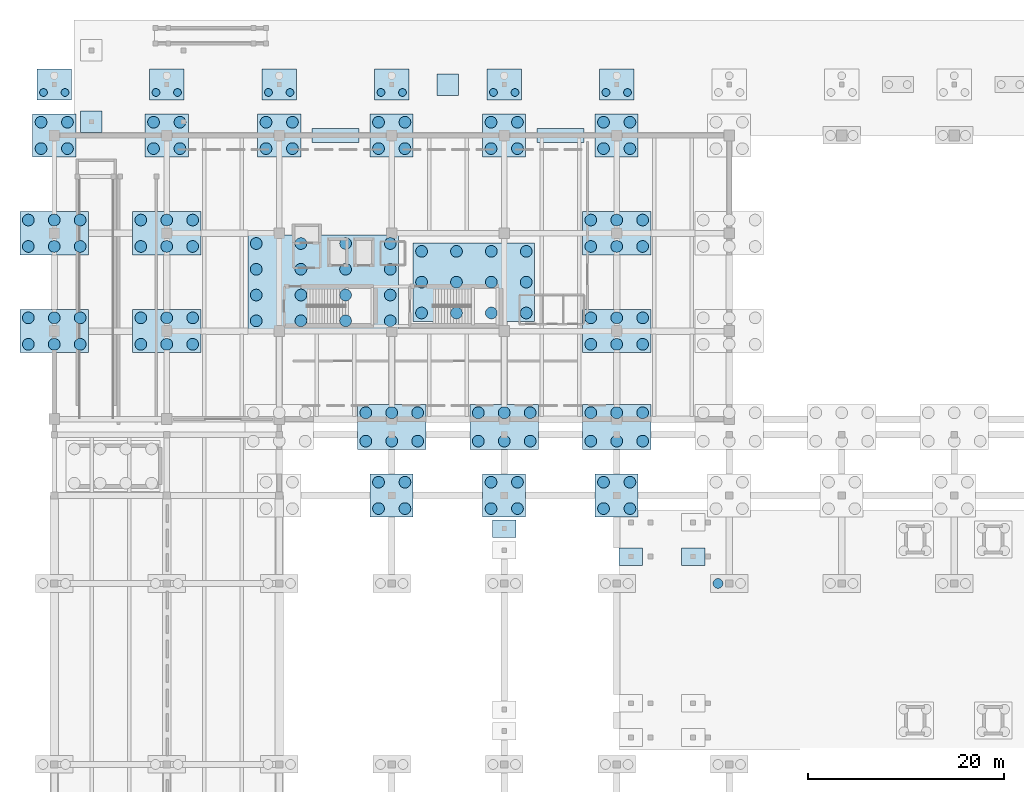
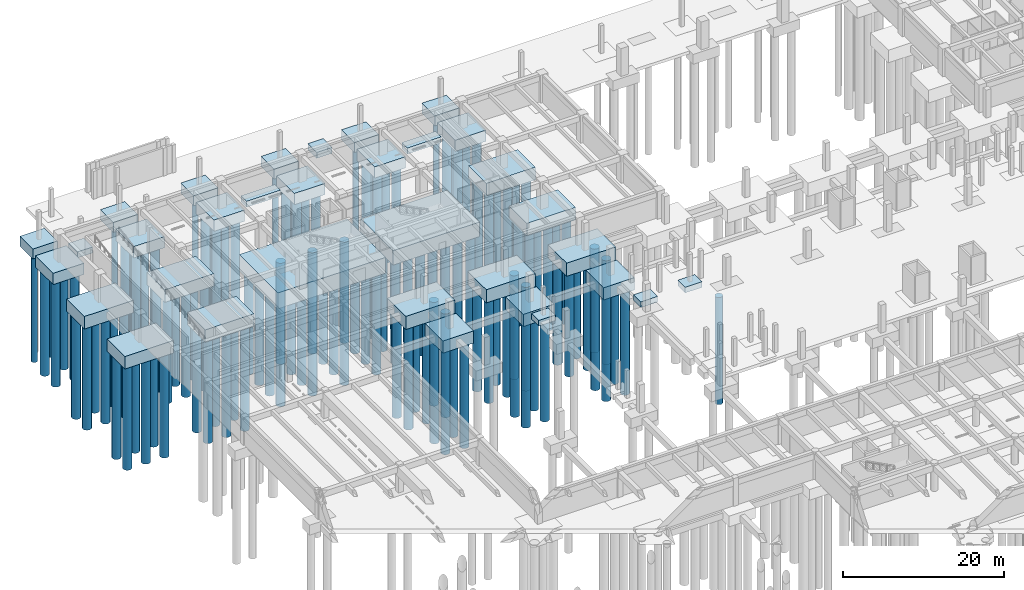
# One storey, part 3 of 28: 131 piles, 33 footings.
"""IFC4 building model written with IfcOpenShell, lengths in metres."""

import ifcopenshell
import ifcopenshell.guid

model = None  # the IFC model being written
_history = None  # IfcOwnerHistory: only IFC2X3 demands one
_inside = {}  # id of a spatial element -> (the spatial element, [elements in it])
_under = {}  # id of a project, library or spatial element -> (it, [spatial elements below it])
_declared = {}  # id of a project -> (the project, [libraries it declares])
_typed = {}  # id of a type object -> (the type object, [elements of that type])
_made_of = {}  # id of a material, layer set ... -> (it, [elements and type objects made of it])


def new_model(schema):
    """Start an empty IFC model of exactly this schema.

    Asked for "IFC4X3", IfcOpenShell would pick the latest addendum, in which some entities
    have other attributes; the version numbers below select the first issue.
    IFC2X3 requires an IfcOwnerHistory on every rooted entity: one is made here for all.
    """
    global model, _history
    if schema == "IFC4X3":
        model = ifcopenshell.file(schema_version=(4, 3, 0, 0))
    else:
        model = ifcopenshell.file(schema=schema)
    _inside.clear()
    _under.clear()
    _declared.clear()
    _typed.clear()
    _made_of.clear()
    _history = None
    if model.schema == "IFC2X3":
        org = make("IfcOrganization", Name="unknown")
        user = make(
            "IfcPersonAndOrganization",
            ThePerson=make("IfcPerson", FamilyName="unknown"),
            TheOrganization=org,
        )
        app = make(
            "IfcApplication",
            ApplicationDeveloper=org,
            Version="unknown",
            ApplicationFullName="unknown",
            ApplicationIdentifier="unknown",
        )
        _history = make(
            "IfcOwnerHistory",
            OwningUser=user,
            OwningApplication=app,
            ChangeAction="ADDED",
            CreationDate=0,
        )
    return model


def make(cls, **values):
    """One entity of the class cls with the attributes given. An attribute that is None is left unset."""
    return model.create_entity(
        cls, **{name: value for name, value in values.items() if value is not None}
    )


def rooted(cls, **values):
    """An entity with a GlobalId (a new one), such as an element, a storey or a relation."""
    return make(cls, GlobalId=ifcopenshell.guid.new(), OwnerHistory=_history, **values)


def si_unit(unit_type, name, prefix=None):
    """IfcSIUnit, for example si_unit("LENGTHUNIT", "METRE", prefix="MILLI")."""
    return make("IfcSIUnit", UnitType=unit_type, Prefix=prefix, Name=name)


def assignment(units):
    """IfcUnitAssignment: the units of a project."""
    return None if units is None else make("IfcUnitAssignment", Units=units)


def point(xyz):
    """IfcCartesianPoint."""
    return None if xyz is None else make("IfcCartesianPoint", Coordinates=xyz)


def direction(xyz):
    """IfcDirection."""
    return None if xyz is None else make("IfcDirection", DirectionRatios=xyz)


def frame(location, z_axis=None, x_axis=None):
    """IfcAxis2Placement3D, a coordinate frame: its origin and axes. An axis left out is left unset."""
    return make(
        "IfcAxis2Placement3D",
        Location=point(location),
        Axis=direction(z_axis),
        RefDirection=direction(x_axis),
    )


def frame_2d(location, x_axis=None):
    """IfcAxis2Placement2D, a coordinate frame in the plane: its origin and x axis."""
    return make(
        "IfcAxis2Placement2D", Location=point(location), RefDirection=direction(x_axis)
    )


def origin():
    """The frame at (0, 0, 0) with its axes left unset."""
    return frame((0.0, 0.0, 0.0))


def origin_2d():
    """The frame at (0, 0) in the plane with its x axis left unset."""
    return frame_2d((0.0, 0.0))


def place(relative_to, where):
    """IfcLocalPlacement: puts the frame where relative to a parent placement (None: the world)."""
    return make(
        "IfcLocalPlacement", PlacementRelTo=relative_to, RelativePlacement=where
    )


def context(
    kind, dimensions, precision=None, world=None, true_north=None, identifier=None
):
    """IfcGeometricRepresentationContext, for example the 3D "Model" context."""
    return make(
        "IfcGeometricRepresentationContext",
        ContextIdentifier=identifier,
        ContextType=kind,
        CoordinateSpaceDimension=dimensions,
        Precision=precision,
        WorldCoordinateSystem=world,
        TrueNorth=true_north,
    )


def subcontext(parent, identifier, kind, view, scale=None):
    """IfcGeometricRepresentationSubContext, for example "Body" below "Model"."""
    return make(
        "IfcGeometricRepresentationSubContext",
        ContextIdentifier=identifier,
        ContextType=kind,
        ParentContext=parent,
        TargetScale=scale,
        TargetView=view,
    )


def project(units=None, contexts=None):
    """IfcProject with its units and contexts."""
    return rooted(
        "IfcProject",
        Name="project",
        RepresentationContexts=contexts,
        UnitsInContext=assignment(units),
    )


def spatial(cls, under=None, at=None, **own):
    """A site, building, storey or space (cls), placed at a placement, below another one or the project."""
    s = rooted(cls, ObjectPlacement=at, **own)
    if under is not None:
        _under.setdefault(under.id(), (under, []))[1].append(s)
    return s


def profile(cls, at=None, kind="AREA", **sizes):
    """A parametric profile (cls). Its sizes go by their IFC names, for example OverallWidth=200.0."""
    return make(cls, ProfileType=kind, Position=at, **sizes)


def rectangle(**sizes):
    """IfcRectangleProfileDef."""
    return profile("IfcRectangleProfileDef", **sizes)


def circle(**sizes):
    """IfcCircleProfileDef."""
    return profile("IfcCircleProfileDef", **sizes)


def extrude(swept, where, along, depth):
    """IfcExtrudedAreaSolid: the profile swept, set in the frame where, extruded along a direction by depth."""
    return make(
        "IfcExtrudedAreaSolid",
        SweptArea=swept,
        Position=where,
        ExtrudedDirection=direction(along),
        Depth=depth,
    )


def shape(context_of_items, identifier, shape_type, items):
    """IfcShapeRepresentation: the items that make up one representation, for example the "Body"."""
    return make(
        "IfcShapeRepresentation",
        ContextOfItems=context_of_items,
        RepresentationIdentifier=identifier,
        RepresentationType=shape_type,
        Items=items,
    )


def material(Name=None, Category=None):
    """IfcMaterial."""
    return make("IfcMaterial", Name=Name, Category=Category)


def material_profile(
    of_material, cross_section, Name=None, Category=None, Priority=None
):
    """IfcMaterialProfile: a cross section and its material."""
    return make(
        "IfcMaterialProfile",
        Name=Name,
        Material=of_material,
        Profile=cross_section,
        Priority=Priority,
        Category=Category,
    )


def profile_set(profiles, Name=None, composite=None):
    """IfcMaterialProfileSet."""
    return make(
        "IfcMaterialProfileSet",
        Name=Name,
        MaterialProfiles=profiles,
        CompositeProfile=composite,
    )


def made_of(thing, what):
    """Note that an element or type object is made of a material, layer set ...; save() writes the relation."""
    if what is not None:
        _made_of.setdefault(what.id(), (what, []))[1].append(thing)
    return thing


def type_object(cls, material=None, **own):
    """A type object (cls), such as IfcWallType, which elements share."""
    return made_of(rooted(cls, **own), material)


def element(
    cls,
    number,
    at=None,
    inside=None,
    cuts=None,
    type_object=None,
    material=None,
    context=None,
    identifier="Body",
    shape_type=None,
    held_by="IfcProductDefinitionShape",
    body=None,
    shapes=None,
    **own,
):
    """One element of the class cls, such as IfcWall. Its Tag is "e" and its number.

    at: its placement. inside: the storey or other place that contains it. cuts: it is an
    opening in that element (IfcRelVoidsElement). A single representation is given by context,
    identifier, shape_type and body (its items); several are given by shapes. held_by: the class
    of the entity that holds the representations. save() writes the other relations.
    """
    e = rooted(cls, Tag="e%d" % number, ObjectPlacement=at, **own)
    if body is not None:
        shapes = [shape(context, identifier, shape_type, body)]
    if shapes is not None:
        e.Representation = make(held_by, Representations=shapes)
    if inside is not None:
        _inside.setdefault(inside.id(), (inside, []))[1].append(e)
    if cuts is not None:
        rooted(
            "IfcRelVoidsElement", RelatingBuildingElement=cuts, RelatedOpeningElement=e
        )
    if type_object is not None:
        _typed.setdefault(type_object.id(), (type_object, []))[1].append(e)
    return made_of(e, material)


def aggregate(whole, parts):
    """IfcRelAggregates: a whole, such as a stair, and the parts it consists of."""
    return rooted("IfcRelAggregates", RelatingObject=whole, RelatedObjects=parts)


def save(model, path):
    """Write the relations noted so far, then the file.

    IfcRelAggregates (storeys below a building ...), IfcRelContainedInSpatialStructure (elements
    in a storey), IfcRelDefinesByType, IfcRelAssociatesMaterial and IfcRelDeclares: one each for
    every whole, place, type object, material and project.
    """
    for whole, parts in _under.values():
        aggregate(whole, parts)
    for where, things in _inside.values():
        rooted(
            "IfcRelContainedInSpatialStructure",
            RelatedElements=things,
            RelatingStructure=where,
        )
    for kind, things in _typed.values():
        rooted("IfcRelDefinesByType", RelatedObjects=things, RelatingType=kind)
    for what, things in _made_of.values():
        rooted("IfcRelAssociatesMaterial", RelatedObjects=things, RelatingMaterial=what)
    for by, libraries in _declared.values():
        rooted("IfcRelDeclares", RelatingContext=by, RelatedDefinitions=libraries)
    model.write(path)


model = new_model("IFC4")

# Units and contexts
model_context = context("Model", 3, precision=1e-05, world=origin(), true_north=direction((0.0, 1.0)))
body_context = subcontext(model_context, "Body", "Model", "MODEL_VIEW")
ifc_project = project(units=[si_unit("LENGTHUNIT", "METRE"), si_unit("AREAUNIT", "SQUARE_METRE"), si_unit("VOLUMEUNIT", "CUBIC_METRE"), si_unit("PLANEANGLEUNIT", "RADIAN"), si_unit("MASSUNIT", "GRAM", prefix="KILO")], contexts=[model_context])

# Site, building, storey
site_placement = place(None, origin())
site = spatial("IfcSite", under=ifc_project, at=site_placement, CompositionType="ELEMENT")
building_placement = place(site_placement, origin())
building = spatial("IfcBuilding", under=site, at=building_placement, Name="Ologun Quay Terminus", CompositionType="ELEMENT")
storey_placement = place(building_placement, frame((0.0, 0.0, -8.39990234375)))
storey = spatial("IfcBuildingStorey", under=building, at=storey_placement, Name="B02", CompositionType="ELEMENT", Elevation=-8.39990234375)

# Piles
ifc_material_1 = material(Name="Concrete C35/45", Category="concrete")
ifc_material_profile_1 = material_profile(ifc_material_1, circle(Radius=0.5, at=origin_2d()), Name="PILE D1000")
ifc_profile_set_1 = profile_set([ifc_material_profile_1], Name="Concrete C35/45")
pile_type_1 = type_object("IfcPileType", Name="Bored Concrete Pile D1000", PredefinedType="BORED", material=ifc_profile_set_1)
pile_placement = place(storey_placement, frame((67.85009765625, 69.0, -1.400146484375), z_axis=(0.0, 0.0, -1.0), x_axis=(1.0, 0.0, 0.0)))
element("IfcPile", 1, at=pile_placement, inside=storey, type_object=pile_type_1, Name="P2 Pile FND-SUB-7-Y69-01", PredefinedType="BORED", context=body_context, shape_type="SweptSolid", body=[
    extrude(circle(Radius=0.5, at=origin_2d()), origin(), (0.0, 0.0, 1.0), 16.199951171875),
])
ifc_material_2 = material(Name="Concrete C35/45", Category="concrete")
ifc_material_profile_2 = material_profile(ifc_material_2, circle(Radius=0.60009765625, at=origin_2d()), Name="PILE D1200")
ifc_profile_set_2 = profile_set([ifc_material_profile_2], Name="Concrete C35/45")
pile_type_2 = type_object("IfcPileType", Name="Bored Concrete Pile D1200", PredefinedType="BORED", material=ifc_profile_set_2)
for number, where, z_axis, x_axis, name in (
    (2, (20.64990234375, 95.85009765625, -2.300048828125), (0.0, 0.0, -1.0), (1.0, 0.0, 0.0), "P1 Pile FND-CORE-W1-01"),
    (3, (25.216796875, 95.85009765625, -2.300048828125), (0.0, 0.0, -1.0), (1.0, 0.0, 0.0), "P1 Pile FND-CORE-W1-02"),
    (4, (29.783203125, 95.85009765625, -2.300048828125), (0.0, 0.0, -1.0), (1.0, 0.0, 0.0), "P1 Pile FND-CORE-W1-03"),
    (5, (34.35009765625, 95.85009765625, -2.300048828125), (0.0, 0.0, -1.0), (1.0, 0.0, 0.0), "P1 Pile FND-CORE-W1-04"),
    (6, (20.64990234375, 98.4833984375, -2.300048828125), (0.0, 0.0, -1.0), (1.0, 0.0, 0.0), "P1 Pile FND-CORE-W1-05"),
    (7, (25.216796875, 98.4833984375, -2.300048828125), (0.0, 0.0, -1.0), (1.0, 0.0, 0.0), "P1 Pile FND-CORE-W1-06"),
    (8, (29.783203125, 98.4833984375, -2.300048828125), (0.0, 0.0, -1.0), (1.0, 0.0, 0.0), "P1 Pile FND-CORE-W1-07"),
    (9, (34.35009765625, 98.4833984375, -2.300048828125), (0.0, 0.0, -1.0), (1.0, 0.0, 0.0), "P1 Pile FND-CORE-W1-08"),
    (10, (20.64990234375, 101.11669921875, -2.300048828125), (0.0, 0.0, -1.0), (1.0, 0.0, 0.0), "P1 Pile FND-CORE-W1-09"),
    (11, (25.216796875, 101.11669921875, -2.300048828125), (0.0, 0.0, -1.0), (1.0, 0.0, 0.0), "P1 Pile FND-CORE-W1-10"),
    (12, (29.783203125, 101.11669921875, -2.300048828125), (0.0, 0.0, -1.0), (1.0, 0.0, 0.0), "P1 Pile FND-CORE-W1-11"),
    (13, (34.35009765625, 101.11669921875, -2.300048828125), (0.0, 0.0, -1.0), (1.0, 0.0, 0.0), "P1 Pile FND-CORE-W1-12"),
    (14, (20.64990234375, 103.75, -2.300048828125), (0.0, 0.0, -1.0), (1.0, 0.0, 0.0), "P1 Pile FND-CORE-W1-13"),
    (15, (25.216796875, 103.75, -2.300048828125), (0.0, 0.0, -1.0), (1.0, 0.0, 0.0), "P1 Pile FND-CORE-W1-14"),
    (16, (29.783203125, 103.75, -2.300048828125), (0.0, 0.0, -1.0), (1.0, 0.0, 0.0), "P1 Pile FND-CORE-W1-15"),
    (17, (34.35009765625, 103.75, -2.300048828125), (0.0, 0.0, -1.0), (1.0, 0.0, 0.0), "P1 Pile FND-CORE-W1-16"),
):
    element("IfcPile", number, at=place(storey_placement, frame(where, z_axis=z_axis, x_axis=x_axis)), inside=storey, type_object=pile_type_2, Name=name, PredefinedType="BORED", context=body_context, shape_type="SweptSolid", body=[
        extrude(circle(Radius=0.60009765625, at=origin_2d()), origin(), (0.0, 0.0, 1.0), 15.300048828125),
    ])
for number, where, z_axis, x_axis, name in (
    (18, (37.550048828125, 96.64990234375, -2.10009765625), (0.0, 0.0, -1.0), (1.0, 0.0, 0.0), "P1 Pile FND-CORE-W2-01"),
    (19, (41.11669921875, 96.64990234375, -2.10009765625), (0.0, 0.0, -1.0), (1.0, 0.0, 0.0), "P1 Pile FND-CORE-W2-02"),
    (20, (44.683349609375, 96.64990234375, -2.10009765625), (0.0, 0.0, -1.0), (1.0, 0.0, 0.0), "P1 Pile FND-CORE-W2-03"),
    (21, (48.25, 96.64990234375, -2.10009765625), (0.0, 0.0, -1.0), (1.0, 0.0, 0.0), "P1 Pile FND-CORE-W2-04"),
    (22, (37.550048828125, 99.800048828125, -2.10009765625), (0.0, 0.0, -1.0), (1.0, 0.0, 0.0), "P1 Pile FND-CORE-W2-05"),
    (23, (41.11669921875, 99.800048828125, -2.10009765625), (0.0, 0.0, -1.0), (1.0, 0.0, 0.0), "P1 Pile FND-CORE-W2-06"),
    (24, (44.683349609375, 99.800048828125, -2.10009765625), (0.0, 0.0, -1.0), (1.0, 0.0, 0.0), "P1 Pile FND-CORE-W2-07"),
    (25, (48.25, 99.800048828125, -2.10009765625), (0.0, 0.0, -1.0), (1.0, 0.0, 0.0), "P1 Pile FND-CORE-W2-08"),
    (26, (37.550048828125, 102.949951171875, -2.10009765625), (0.0, 0.0, -1.0), (1.0, 0.0, 0.0), "P1 Pile FND-CORE-W2-09"),
    (27, (41.11669921875, 102.949951171875, -2.10009765625), (0.0, 0.0, -1.0), (1.0, 0.0, 0.0), "P1 Pile FND-CORE-W2-10"),
    (28, (44.683349609375, 102.949951171875, -2.10009765625), (0.0, 0.0, -1.0), (1.0, 0.0, 0.0), "P1 Pile FND-CORE-W2-11"),
    (29, (48.25, 102.949951171875, -2.10009765625), (0.0, 0.0, -1.0), (1.0, 0.0, 0.0), "P1 Pile FND-CORE-W2-12"),
):
    element("IfcPile", number, at=place(storey_placement, frame(where, z_axis=z_axis, x_axis=x_axis)), inside=storey, type_object=pile_type_2, Name=name, PredefinedType="BORED", context=body_context, shape_type="SweptSolid", body=[
        extrude(circle(Radius=0.60009765625, at=origin_2d()), origin(), (0.0, 0.0, 1.0), 15.5),
    ])
for number, where, z_axis, x_axis, name in (
    (30, (-2.64990234375, 93.449951171875, -1.800048828125), (0.0, 0.0, -1.0), (1.0, 0.0, 0.0), "P1 Pile FND-1-H-01"),
    (31, (0.0, 93.449951171875, -1.800048828125), (0.0, 0.0, -1.0), (1.0, 0.0, 0.0), "P1 Pile FND-1-H-02"),
    (32, (2.64990234375, 93.449951171875, -1.800048828125), (0.0, 0.0, -1.0), (1.0, 0.0, 0.0), "P1 Pile FND-1-H-03"),
    (33, (-2.64990234375, 96.14990234375, -1.800048828125), (0.0, 0.0, -1.0), (1.0, 0.0, 0.0), "P1 Pile FND-1-H-04"),
    (34, (0.0, 96.14990234375, -1.800048828125), (0.0, 0.0, -1.0), (1.0, 0.0, 0.0), "P1 Pile FND-1-H-05"),
    (35, (2.64990234375, 96.14990234375, -1.800048828125), (0.0, 0.0, -1.0), (1.0, 0.0, 0.0), "P1 Pile FND-1-H-06"),
    (36, (-2.64990234375, 103.449951171875, -1.800048828125), (0.0, 0.0, -1.0), (1.0, 0.0, 0.0), "P1 Pile FND-1-J-01"),
    (37, (0.0, 103.449951171875, -1.800048828125), (0.0, 0.0, -1.0), (1.0, 0.0, 0.0), "P1 Pile FND-1-J-02"),
    (38, (2.64990234375, 103.449951171875, -1.800048828125), (0.0, 0.0, -1.0), (1.0, 0.0, 0.0), "P1 Pile FND-1-J-03"),
    (39, (-2.64990234375, 106.14990234375, -1.800048828125), (0.0, 0.0, -1.0), (1.0, 0.0, 0.0), "P1 Pile FND-1-J-04"),
    (40, (0.0, 106.14990234375, -1.800048828125), (0.0, 0.0, -1.0), (1.0, 0.0, 0.0), "P1 Pile FND-1-J-05"),
    (41, (2.64990234375, 106.14990234375, -1.800048828125), (0.0, 0.0, -1.0), (1.0, 0.0, 0.0), "P1 Pile FND-1-J-06"),
):
    element("IfcPile", number, at=place(storey_placement, frame(where, z_axis=z_axis, x_axis=x_axis)), inside=storey, type_object=pile_type_2, Name=name, PredefinedType="BORED", context=body_context, shape_type="SweptSolid", body=[
        extrude(circle(Radius=0.60009765625, at=origin_2d()), origin(), (0.0, 0.0, 1.0), 15.800048828125),
    ])
for number, where, z_axis, x_axis, name in (
    (42, (-1.35009765625, 113.449951171875, -1.60009765625), (0.0, 0.0, -1.0), (1.0, 0.0, 0.0), "P1 Pile FND-1-K-01"),
    (43, (1.35009765625, 113.449951171875, -1.60009765625), (0.0, 0.0, -1.0), (1.0, 0.0, 0.0), "P1 Pile FND-1-K-02"),
    (44, (-1.35009765625, 116.14990234375, -1.60009765625), (0.0, 0.0, -1.0), (1.0, 0.0, 0.0), "P1 Pile FND-1-K-03"),
    (45, (1.35009765625, 116.14990234375, -1.60009765625), (0.0, 0.0, -1.0), (1.0, 0.0, 0.0), "P1 Pile FND-1-K-04"),
):
    element("IfcPile", number, at=place(storey_placement, frame(where, z_axis=z_axis, x_axis=x_axis)), inside=storey, type_object=pile_type_2, Name=name, PredefinedType="BORED", context=body_context, shape_type="SweptSolid", body=[
        extrude(circle(Radius=0.60009765625, at=origin_2d()), origin(), (0.0, 0.0, 1.0), 16.0),
    ])
for number, where, z_axis, x_axis, name in (
    (46, (8.85009765625, 93.449951171875, -1.800048828125), (0.0, 0.0, -1.0), (1.0, 0.0, 0.0), "P1 Pile FND-2-H-01"),
    (47, (11.5, 93.449951171875, -1.800048828125), (0.0, 0.0, -1.0), (1.0, 0.0, 0.0), "P1 Pile FND-2-H-02"),
    (48, (14.14990234375, 93.449951171875, -1.800048828125), (0.0, 0.0, -1.0), (1.0, 0.0, 0.0), "P1 Pile FND-2-H-03"),
    (49, (8.85009765625, 96.14990234375, -1.800048828125), (0.0, 0.0, -1.0), (1.0, 0.0, 0.0), "P1 Pile FND-2-H-04"),
    (50, (11.5, 96.14990234375, -1.800048828125), (0.0, 0.0, -1.0), (1.0, 0.0, 0.0), "P1 Pile FND-2-H-05"),
    (51, (14.14990234375, 96.14990234375, -1.800048828125), (0.0, 0.0, -1.0), (1.0, 0.0, 0.0), "P1 Pile FND-2-H-06"),
    (52, (8.85009765625, 103.449951171875, -1.800048828125), (0.0, 0.0, -1.0), (1.0, 0.0, 0.0), "P1 Pile FND-2-J-01"),
    (53, (11.5, 103.449951171875, -1.800048828125), (0.0, 0.0, -1.0), (1.0, 0.0, 0.0), "P1 Pile FND-2-J-02"),
    (54, (14.14990234375, 103.449951171875, -1.800048828125), (0.0, 0.0, -1.0), (1.0, 0.0, 0.0), "P1 Pile FND-2-J-03"),
    (55, (8.85009765625, 106.14990234375, -1.800048828125), (0.0, 0.0, -1.0), (1.0, 0.0, 0.0), "P1 Pile FND-2-J-04"),
    (56, (11.5, 106.14990234375, -1.800048828125), (0.0, 0.0, -1.0), (1.0, 0.0, 0.0), "P1 Pile FND-2-J-05"),
    (57, (14.14990234375, 106.14990234375, -1.800048828125), (0.0, 0.0, -1.0), (1.0, 0.0, 0.0), "P1 Pile FND-2-J-06"),
):
    element("IfcPile", number, at=place(storey_placement, frame(where, z_axis=z_axis, x_axis=x_axis)), inside=storey, type_object=pile_type_2, Name=name, PredefinedType="BORED", context=body_context, shape_type="SweptSolid", body=[
        extrude(circle(Radius=0.60009765625, at=origin_2d()), origin(), (0.0, 0.0, 1.0), 15.800048828125),
    ])
for number, where, z_axis, x_axis, name in (
    (58, (10.14990234375, 113.449951171875, -1.60009765625), (0.0, 0.0, -1.0), (1.0, 0.0, 0.0), "P1 Pile FND-2-K-01"),
    (59, (12.85009765625, 113.449951171875, -1.60009765625), (0.0, 0.0, -1.0), (1.0, 0.0, 0.0), "P1 Pile FND-2-K-02"),
    (60, (10.14990234375, 116.14990234375, -1.60009765625), (0.0, 0.0, -1.0), (1.0, 0.0, 0.0), "P1 Pile FND-2-K-03"),
    (61, (12.85009765625, 116.14990234375, -1.60009765625), (0.0, 0.0, -1.0), (1.0, 0.0, 0.0), "P1 Pile FND-2-K-04"),
    (62, (21.64990234375, 113.449951171875, -1.60009765625), (0.0, 0.0, -1.0), (1.0, 0.0, 0.0), "P1 Pile FND-3-K-01"),
    (63, (24.35009765625, 113.449951171875, -1.60009765625), (0.0, 0.0, -1.0), (1.0, 0.0, 0.0), "P1 Pile FND-3-K-02"),
    (64, (21.64990234375, 116.14990234375, -1.60009765625), (0.0, 0.0, -1.0), (1.0, 0.0, 0.0), "P1 Pile FND-3-K-03"),
    (65, (24.35009765625, 116.14990234375, -1.60009765625), (0.0, 0.0, -1.0), (1.0, 0.0, 0.0), "P1 Pile FND-3-K-04"),
):
    element("IfcPile", number, at=place(storey_placement, frame(where, z_axis=z_axis, x_axis=x_axis)), inside=storey, type_object=pile_type_2, Name=name, PredefinedType="BORED", context=body_context, shape_type="SweptSolid", body=[
        extrude(circle(Radius=0.60009765625, at=origin_2d()), origin(), (0.0, 0.0, 1.0), 16.0),
    ])
for number, where, z_axis, x_axis, name in (
    (66, (31.85009765625, 83.550048828125, -1.900146484375), (0.0, 0.0, -1.0), (1.0, 0.0, 0.0), "P1 Pile FND-MJ-4-01"),
    (67, (34.5, 83.550048828125, -1.900146484375), (0.0, 0.0, -1.0), (1.0, 0.0, 0.0), "P1 Pile FND-MJ-4-02"),
    (68, (37.14990234375, 83.550048828125, -1.900146484375), (0.0, 0.0, -1.0), (1.0, 0.0, 0.0), "P1 Pile FND-MJ-4-03"),
    (69, (31.85009765625, 86.449951171875, -1.900146484375), (0.0, 0.0, -1.0), (1.0, 0.0, 0.0), "P1 Pile FND-MJ-4-04"),
    (70, (34.5, 86.449951171875, -1.900146484375), (0.0, 0.0, -1.0), (1.0, 0.0, 0.0), "P1 Pile FND-MJ-4-05"),
    (71, (37.14990234375, 86.449951171875, -1.900146484375), (0.0, 0.0, -1.0), (1.0, 0.0, 0.0), "P1 Pile FND-MJ-4-06"),
):
    element("IfcPile", number, at=place(storey_placement, frame(where, z_axis=z_axis, x_axis=x_axis)), inside=storey, type_object=pile_type_2, Name=name, PredefinedType="BORED", context=body_context, shape_type="SweptSolid", body=[
        extrude(circle(Radius=0.60009765625, at=origin_2d()), origin(), (0.0, 0.0, 1.0), 15.699951171875),
    ])
for number, where, z_axis, x_axis, name in (
    (72, (33.14990234375, 76.64990234375, -1.75), (0.0, 0.0, -1.0), (1.0, 0.0, 0.0), "P1 Pile FND-4-F-01"),
    (73, (35.85009765625, 76.64990234375, -1.75), (0.0, 0.0, -1.0), (1.0, 0.0, 0.0), "P1 Pile FND-4-F-02"),
    (74, (33.14990234375, 79.35009765625, -1.75), (0.0, 0.0, -1.0), (1.0, 0.0, 0.0), "P1 Pile FND-4-F-03"),
    (75, (35.85009765625, 79.35009765625, -1.75), (0.0, 0.0, -1.0), (1.0, 0.0, 0.0), "P1 Pile FND-4-F-04"),
):
    element("IfcPile", number, at=place(storey_placement, frame(where, z_axis=z_axis, x_axis=x_axis)), inside=storey, type_object=pile_type_2, Name=name, PredefinedType="BORED", context=body_context, shape_type="SweptSolid", body=[
        extrude(circle(Radius=0.60009765625, at=origin_2d()), origin(), (0.0, 0.0, 1.0), 15.85009765625),
    ])
for number, where, z_axis, x_axis, name in (
    (76, (33.14990234375, 113.449951171875, -1.60009765625), (0.0, 0.0, -1.0), (1.0, 0.0, 0.0), "P1 Pile FND-4-K-01"),
    (77, (35.85009765625, 113.449951171875, -1.60009765625), (0.0, 0.0, -1.0), (1.0, 0.0, 0.0), "P1 Pile FND-4-K-02"),
    (78, (33.14990234375, 116.14990234375, -1.60009765625), (0.0, 0.0, -1.0), (1.0, 0.0, 0.0), "P1 Pile FND-4-K-03"),
    (79, (35.85009765625, 116.14990234375, -1.60009765625), (0.0, 0.0, -1.0), (1.0, 0.0, 0.0), "P1 Pile FND-4-K-04"),
):
    element("IfcPile", number, at=place(storey_placement, frame(where, z_axis=z_axis, x_axis=x_axis)), inside=storey, type_object=pile_type_2, Name=name, PredefinedType="BORED", context=body_context, shape_type="SweptSolid", body=[
        extrude(circle(Radius=0.60009765625, at=origin_2d()), origin(), (0.0, 0.0, 1.0), 16.0),
    ])
for number, where, z_axis, x_axis, name in (
    (80, (43.35009765625, 83.550048828125, -1.900146484375), (0.0, 0.0, -1.0), (1.0, 0.0, 0.0), "P1 Pile FND-MJ-5-01"),
    (81, (46.0, 83.550048828125, -1.900146484375), (0.0, 0.0, -1.0), (1.0, 0.0, 0.0), "P1 Pile FND-MJ-5-02"),
    (82, (48.64990234375, 83.550048828125, -1.900146484375), (0.0, 0.0, -1.0), (1.0, 0.0, 0.0), "P1 Pile FND-MJ-5-03"),
    (83, (43.35009765625, 86.449951171875, -1.900146484375), (0.0, 0.0, -1.0), (1.0, 0.0, 0.0), "P1 Pile FND-MJ-5-04"),
    (84, (46.0, 86.449951171875, -1.900146484375), (0.0, 0.0, -1.0), (1.0, 0.0, 0.0), "P1 Pile FND-MJ-5-05"),
    (85, (48.64990234375, 86.449951171875, -1.900146484375), (0.0, 0.0, -1.0), (1.0, 0.0, 0.0), "P1 Pile FND-MJ-5-06"),
):
    element("IfcPile", number, at=place(storey_placement, frame(where, z_axis=z_axis, x_axis=x_axis)), inside=storey, type_object=pile_type_2, Name=name, PredefinedType="BORED", context=body_context, shape_type="SweptSolid", body=[
        extrude(circle(Radius=0.60009765625, at=origin_2d()), origin(), (0.0, 0.0, 1.0), 15.699951171875),
    ])
for number, where, z_axis, x_axis, name in (
    (86, (44.64990234375, 76.64990234375, -1.75), (0.0, 0.0, -1.0), (1.0, 0.0, 0.0), "P1 Pile FND-5-F-01"),
    (87, (47.35009765625, 76.64990234375, -1.75), (0.0, 0.0, -1.0), (1.0, 0.0, 0.0), "P1 Pile FND-5-F-02"),
    (88, (44.64990234375, 79.35009765625, -1.75), (0.0, 0.0, -1.0), (1.0, 0.0, 0.0), "P1 Pile FND-5-F-03"),
    (89, (47.35009765625, 79.35009765625, -1.75), (0.0, 0.0, -1.0), (1.0, 0.0, 0.0), "P1 Pile FND-5-F-04"),
):
    element("IfcPile", number, at=place(storey_placement, frame(where, z_axis=z_axis, x_axis=x_axis)), inside=storey, type_object=pile_type_2, Name=name, PredefinedType="BORED", context=body_context, shape_type="SweptSolid", body=[
        extrude(circle(Radius=0.60009765625, at=origin_2d()), origin(), (0.0, 0.0, 1.0), 15.85009765625),
    ])
for number, where, z_axis, x_axis, name in (
    (90, (44.64990234375, 113.449951171875, -1.60009765625), (0.0, 0.0, -1.0), (1.0, 0.0, 0.0), "P1 Pile FND-5-K-01"),
    (91, (47.35009765625, 113.449951171875, -1.60009765625), (0.0, 0.0, -1.0), (1.0, 0.0, 0.0), "P1 Pile FND-5-K-02"),
    (92, (44.64990234375, 116.14990234375, -1.60009765625), (0.0, 0.0, -1.0), (1.0, 0.0, 0.0), "P1 Pile FND-5-K-03"),
    (93, (47.35009765625, 116.14990234375, -1.60009765625), (0.0, 0.0, -1.0), (1.0, 0.0, 0.0), "P1 Pile FND-5-K-04"),
):
    element("IfcPile", number, at=place(storey_placement, frame(where, z_axis=z_axis, x_axis=x_axis)), inside=storey, type_object=pile_type_2, Name=name, PredefinedType="BORED", context=body_context, shape_type="SweptSolid", body=[
        extrude(circle(Radius=0.60009765625, at=origin_2d()), origin(), (0.0, 0.0, 1.0), 16.0),
    ])
for number, where, z_axis, x_axis, name in (
    (94, (54.85009765625, 83.550048828125, -1.900146484375), (0.0, 0.0, -1.0), (1.0, 0.0, 0.0), "P1 Pile FND-MJ-6-01"),
    (95, (57.5, 83.550048828125, -1.900146484375), (0.0, 0.0, -1.0), (1.0, 0.0, 0.0), "P1 Pile FND-MJ-6-02"),
    (96, (60.14990234375, 83.550048828125, -1.900146484375), (0.0, 0.0, -1.0), (1.0, 0.0, 0.0), "P1 Pile FND-MJ-6-03"),
    (97, (54.85009765625, 86.449951171875, -1.900146484375), (0.0, 0.0, -1.0), (1.0, 0.0, 0.0), "P1 Pile FND-MJ-6-04"),
    (98, (57.5, 86.449951171875, -1.900146484375), (0.0, 0.0, -1.0), (1.0, 0.0, 0.0), "P1 Pile FND-MJ-6-05"),
    (99, (60.14990234375, 86.449951171875, -1.900146484375), (0.0, 0.0, -1.0), (1.0, 0.0, 0.0), "P1 Pile FND-MJ-6-06"),
):
    element("IfcPile", number, at=place(storey_placement, frame(where, z_axis=z_axis, x_axis=x_axis)), inside=storey, type_object=pile_type_2, Name=name, PredefinedType="BORED", context=body_context, shape_type="SweptSolid", body=[
        extrude(circle(Radius=0.60009765625, at=origin_2d()), origin(), (0.0, 0.0, 1.0), 15.699951171875),
    ])
for number, where, z_axis, x_axis, name in (
    (100, (56.14990234375, 76.64990234375, -1.75), (0.0, 0.0, -1.0), (1.0, 0.0, 0.0), "P1 Pile FND-6-F-01"),
    (101, (58.85009765625, 76.64990234375, -1.75), (0.0, 0.0, -1.0), (1.0, 0.0, 0.0), "P1 Pile FND-6-F-02"),
    (102, (56.14990234375, 79.35009765625, -1.75), (0.0, 0.0, -1.0), (1.0, 0.0, 0.0), "P1 Pile FND-6-F-03"),
    (103, (58.85009765625, 79.35009765625, -1.75), (0.0, 0.0, -1.0), (1.0, 0.0, 0.0), "P1 Pile FND-6-F-04"),
):
    element("IfcPile", number, at=place(storey_placement, frame(where, z_axis=z_axis, x_axis=x_axis)), inside=storey, type_object=pile_type_2, Name=name, PredefinedType="BORED", context=body_context, shape_type="SweptSolid", body=[
        extrude(circle(Radius=0.60009765625, at=origin_2d()), origin(), (0.0, 0.0, 1.0), 15.85009765625),
    ])
for number, where, z_axis, x_axis, name in (
    (104, (54.85009765625, 93.449951171875, -1.800048828125), (0.0, 0.0, -1.0), (1.0, 0.0, 0.0), "P1 Pile FND-6-H-01"),
    (105, (57.5, 93.449951171875, -1.800048828125), (0.0, 0.0, -1.0), (1.0, 0.0, 0.0), "P1 Pile FND-6-H-02"),
    (106, (60.14990234375, 93.449951171875, -1.800048828125), (0.0, 0.0, -1.0), (1.0, 0.0, 0.0), "P1 Pile FND-6-H-03"),
    (107, (54.85009765625, 96.14990234375, -1.800048828125), (0.0, 0.0, -1.0), (1.0, 0.0, 0.0), "P1 Pile FND-6-H-04"),
    (108, (57.5, 96.14990234375, -1.800048828125), (0.0, 0.0, -1.0), (1.0, 0.0, 0.0), "P1 Pile FND-6-H-05"),
    (109, (60.14990234375, 96.14990234375, -1.800048828125), (0.0, 0.0, -1.0), (1.0, 0.0, 0.0), "P1 Pile FND-6-H-06"),
    (110, (54.85009765625, 103.449951171875, -1.800048828125), (0.0, 0.0, -1.0), (1.0, 0.0, 0.0), "P1 Pile FND-6-J-01"),
    (111, (57.5, 103.449951171875, -1.800048828125), (0.0, 0.0, -1.0), (1.0, 0.0, 0.0), "P1 Pile FND-6-J-02"),
    (112, (60.14990234375, 103.449951171875, -1.800048828125), (0.0, 0.0, -1.0), (1.0, 0.0, 0.0), "P1 Pile FND-6-J-03"),
    (113, (54.85009765625, 106.14990234375, -1.800048828125), (0.0, 0.0, -1.0), (1.0, 0.0, 0.0), "P1 Pile FND-6-J-04"),
    (114, (57.5, 106.14990234375, -1.800048828125), (0.0, 0.0, -1.0), (1.0, 0.0, 0.0), "P1 Pile FND-6-J-05"),
    (115, (60.14990234375, 106.14990234375, -1.800048828125), (0.0, 0.0, -1.0), (1.0, 0.0, 0.0), "P1 Pile FND-6-J-06"),
):
    element("IfcPile", number, at=place(storey_placement, frame(where, z_axis=z_axis, x_axis=x_axis)), inside=storey, type_object=pile_type_2, Name=name, PredefinedType="BORED", context=body_context, shape_type="SweptSolid", body=[
        extrude(circle(Radius=0.60009765625, at=origin_2d()), origin(), (0.0, 0.0, 1.0), 15.800048828125),
    ])
for number, where, z_axis, x_axis, name in (
    (116, (56.14990234375, 113.449951171875, -1.60009765625), (0.0, 0.0, -1.0), (1.0, 0.0, 0.0), "P1 Pile FND-6-K-01"),
    (117, (58.85009765625, 113.449951171875, -1.60009765625), (0.0, 0.0, -1.0), (1.0, 0.0, 0.0), "P1 Pile FND-6-K-02"),
    (118, (56.14990234375, 116.14990234375, -1.60009765625), (0.0, 0.0, -1.0), (1.0, 0.0, 0.0), "P1 Pile FND-6-K-03"),
    (119, (58.85009765625, 116.14990234375, -1.60009765625), (0.0, 0.0, -1.0), (1.0, 0.0, 0.0), "P1 Pile FND-6-K-04"),
):
    element("IfcPile", number, at=place(storey_placement, frame(where, z_axis=z_axis, x_axis=x_axis)), inside=storey, type_object=pile_type_2, Name=name, PredefinedType="BORED", context=body_context, shape_type="SweptSolid", body=[
        extrude(circle(Radius=0.60009765625, at=origin_2d()), origin(), (0.0, 0.0, 1.0), 16.0),
    ])
ifc_material_3 = material(Name="Concrete C35/45", Category="concrete")
ifc_material_profile_3 = material_profile(ifc_material_3, circle(Radius=0.39990234375, at=origin_2d()), Name="PILE D800")
ifc_profile_set_3 = profile_set([ifc_material_profile_3], Name="Concrete C35/45")
pile_type_3 = type_object("IfcPileType", Name="Bored Concrete Pile D800", PredefinedType="BORED", material=ifc_profile_set_3)
for number, where, z_axis, x_axis, name in (
    (120, (-1.10009765625, 119.1923828125, -1.400146484375), (0.0, 0.0, -1.0), (1.0, 0.0, 0.0), "P3 Pile FND-1-L-01"),
    (121, (1.10009765625, 119.1923828125, -1.400146484375), (0.0, 0.0, -1.0), (1.0, 0.0, 0.0), "P3 Pile FND-1-L-02"),
    (122, (10.39990234375, 119.1923828125, -1.400146484375), (0.0, 0.0, -1.0), (1.0, 0.0, 0.0), "P3 Pile FND-2-L-01"),
    (123, (12.60009765625, 119.1923828125, -1.400146484375), (0.0, 0.0, -1.0), (1.0, 0.0, 0.0), "P3 Pile FND-2-L-02"),
    (124, (21.89990234375, 119.1923828125, -1.400146484375), (0.0, 0.0, -1.0), (1.0, 0.0, 0.0), "P3 Pile FND-3-L-01"),
    (125, (24.10009765625, 119.1923828125, -1.400146484375), (0.0, 0.0, -1.0), (1.0, 0.0, 0.0), "P3 Pile FND-3-L-02"),
    (126, (33.39990234375, 119.1923828125, -1.400146484375), (0.0, 0.0, -1.0), (1.0, 0.0, 0.0), "P3 Pile FND-4-L-01"),
    (127, (35.60009765625, 119.1923828125, -1.400146484375), (0.0, 0.0, -1.0), (1.0, 0.0, 0.0), "P3 Pile FND-4-L-02"),
    (128, (44.89990234375, 119.1923828125, -1.400146484375), (0.0, 0.0, -1.0), (1.0, 0.0, 0.0), "P3 Pile FND-5-L-01"),
    (129, (47.10009765625, 119.1923828125, -1.400146484375), (0.0, 0.0, -1.0), (1.0, 0.0, 0.0), "P3 Pile FND-5-L-02"),
    (130, (56.39990234375, 119.1923828125, -1.400146484375), (0.0, 0.0, -1.0), (1.0, 0.0, 0.0), "P3 Pile FND-6-L-01"),
    (131, (58.60009765625, 119.1923828125, -1.400146484375), (0.0, 0.0, -1.0), (1.0, 0.0, 0.0), "P3 Pile FND-6-L-02"),
):
    element("IfcPile", number, at=place(storey_placement, frame(where, z_axis=z_axis, x_axis=x_axis)), inside=storey, type_object=pile_type_3, Name=name, PredefinedType="BORED", context=body_context, shape_type="SweptSolid", body=[
        extrude(circle(Radius=0.39990234375, at=origin_2d()), origin(), (0.0, 0.0, 1.0), 16.199951171875),
    ])

# Footings
ifc_material_4 = material(Name="Concrete C35/45", Category="concrete")
footing_type_1 = type_object("IfcFootingType", Name="Four-Pile Arch Thrust Cap 4400x4400x1850", PredefinedType="PILE_CAP", material=ifc_material_4)
for number, where, z_axis, x_axis, name in (
    (132, (34.5, 78.0, -1.85009765625), (0.0, 0.0, 1.0), (1.0, 0.0, 0.0), "PC3 Footing 4/F"),
    (133, (46.0, 78.0, -1.85009765625), (0.0, 0.0, 1.0), (1.0, 0.0, 0.0), "PC3 Footing 5/F"),
    (134, (57.5, 78.0, -1.85009765625), (0.0, 0.0, 1.0), (1.0, 0.0, 0.0), "PC3 Footing 6/F"),
):
    element("IfcFooting", number, at=place(storey_placement, frame(where, z_axis=z_axis, x_axis=x_axis)), inside=storey, type_object=footing_type_1, Name=name, PredefinedType="PILE_CAP", context=body_context, shape_type="SweptSolid", body=[
        extrude(rectangle(XDim=4.39990234375, YDim=4.39990234375, at=origin_2d()), origin(), (0.0, 0.0, 1.0), 1.85009765625),
    ])
ifc_material_5 = material(Name="Concrete C35/45", Category="concrete")
footing_type_2 = type_object("IfcFootingType", Name="Four-Pile Courtyard Wing Cap 4400x4400x1700", PredefinedType="PILE_CAP", material=ifc_material_5)
for number, where, z_axis, x_axis, name in (
    (135, (0.0, 114.800048828125, -1.7001953125), (0.0, 0.0, 1.0), (1.0, 0.0, 0.0), "PC2 Footing 1/K"),
    (136, (11.5, 114.800048828125, -1.7001953125), (0.0, 0.0, 1.0), (1.0, 0.0, 0.0), "PC2 Footing 2/K"),
    (137, (23.0, 114.800048828125, -1.7001953125), (0.0, 0.0, 1.0), (1.0, 0.0, 0.0), "PC2 Footing 3/K"),
    (138, (34.5, 114.800048828125, -1.7001953125), (0.0, 0.0, 1.0), (1.0, 0.0, 0.0), "PC2 Footing 4/K"),
    (139, (46.0, 114.800048828125, -1.7001953125), (0.0, 0.0, 1.0), (1.0, 0.0, 0.0), "PC2 Footing 5/K"),
    (140, (57.5, 114.800048828125, -1.7001953125), (0.0, 0.0, 1.0), (1.0, 0.0, 0.0), "PC2 Footing 6/K"),
):
    element("IfcFooting", number, at=place(storey_placement, frame(where, z_axis=z_axis, x_axis=x_axis)), inside=storey, type_object=footing_type_2, Name=name, PredefinedType="PILE_CAP", context=body_context, shape_type="SweptSolid", body=[
        extrude(rectangle(XDim=4.39990234375, YDim=4.39990234375, at=origin_2d()), origin(), (0.0, 0.0, 1.0), 1.699951171875),
    ])
ifc_material_6 = material(Name="Concrete C35/45", Category="concrete")
footing_type_3 = type_object("IfcFootingType", Name="Perimeter Wall Strip Footing 1400x900", PredefinedType="STRIP_FOOTING", material=ifc_material_6)
for number, where, z_axis, x_axis, name in (
    (141, (28.75, 114.800048828125, -0.900146484375), (0.0, 0.0, 1.0), (1.0, 0.0, 0.0), "SF1 Strip Footing North Bay 3"),
    (142, (51.75, 114.800048828125, -0.900146484375), (0.0, 0.0, 1.0), (1.0, 0.0, 0.0), "SF1 Strip Footing North Bay 5"),
):
    element("IfcFooting", number, at=place(storey_placement, frame(where, z_axis=z_axis, x_axis=x_axis)), inside=storey, type_object=footing_type_3, Name=name, PredefinedType="STRIP_FOOTING", context=body_context, shape_type="SweptSolid", body=[
        extrude(rectangle(XDim=4.800048828125, YDim=1.39990234375, at=origin_2d()), origin(), (0.0, 0.0, 1.0), 0.89990234375),
    ])
ifc_material_7 = material(Name="Concrete C35/45", Category="concrete")
footing_type_4 = type_object("IfcFootingType", Name="Platform Stair Pad Footing 2400x1800x850", PredefinedType="PAD_FOOTING", material=ifc_material_7)
for number, where, z_axis, x_axis, name in (
    (143, (46.0, 74.60009765625, -0.85009765625), (0.0, 0.0, 1.0), (1.0, 0.0, 0.0), "PF4 Footing 5/E"),
    (144, (58.949951171875, 71.75, -0.85009765625), (0.0, 0.0, 1.0), (1.0, 0.0, 0.0), "PF4 Footing 6/F"),
    (145, (65.300048828125, 71.75, -0.85009765625), (0.0, 0.0, 1.0), (1.0, 0.0, 0.0), "PF4 Footing 6/F"),
):
    element("IfcFooting", number, at=place(storey_placement, frame(where, z_axis=z_axis, x_axis=x_axis)), inside=storey, type_object=footing_type_4, Name=name, PredefinedType="PAD_FOOTING", context=body_context, shape_type="SweptSolid", body=[
        extrude(rectangle(XDim=2.39990234375, YDim=1.800048828125, at=origin_2d()), origin(), (0.0, 0.0, 1.0), 0.85009765625),
    ])
ifc_material_8 = material(Name="Concrete C35/45", Category="concrete")
footing_type_5 = type_object("IfcFootingType", Name="Quay Ramp Pad Footing 2200x2200x900", PredefinedType="PAD_FOOTING", material=ifc_material_8)
for number, where, z_axis, x_axis, name in (
    (146, (40.25, 120.0, -0.900146484375), (0.0, 0.0, 1.0), (1.0, 0.0, 0.0), "PF1 Footing 4/L"),
    (147, (3.800048828125, 116.199951171875, -0.900146484375), (0.0, 0.0, 1.0), (1.0, 0.0, 0.0), "PF1 Footing 1/L"),
):
    element("IfcFooting", number, at=place(storey_placement, frame(where, z_axis=z_axis, x_axis=x_axis)), inside=storey, type_object=footing_type_5, Name=name, PredefinedType="PAD_FOOTING", context=body_context, shape_type="SweptSolid", body=[
        extrude(rectangle(XDim=2.199951171875, YDim=2.199951171875, at=origin_2d()), origin(), (0.0, 0.0, 1.0), 0.89990234375),
    ])
ifc_material_9 = material(Name="Concrete C35/45", Category="concrete")
footing_type_6 = type_object("IfcFootingType", Name="Six-Pile Courtyard Wing Cap 7000x4400x1900", PredefinedType="PILE_CAP", material=ifc_material_9)
for number, where, z_axis, x_axis, name in (
    (148, (0.0, 94.800048828125, -1.900146484375), (0.0, 0.0, 1.0), (1.0, 0.0, 0.0), "PC1 Footing 1/H"),
    (149, (0.0, 104.800048828125, -1.900146484375), (0.0, 0.0, 1.0), (1.0, 0.0, 0.0), "PC1 Footing 1/J"),
    (150, (11.5, 94.800048828125, -1.900146484375), (0.0, 0.0, 1.0), (1.0, 0.0, 0.0), "PC1 Footing 2/H"),
    (151, (11.5, 104.800048828125, -1.900146484375), (0.0, 0.0, 1.0), (1.0, 0.0, 0.0), "PC1 Footing 2/J"),
    (152, (57.5, 94.800048828125, -1.900146484375), (0.0, 0.0, 1.0), (1.0, 0.0, 0.0), "PC1 Footing 6/H"),
    (153, (57.5, 104.800048828125, -1.900146484375), (0.0, 0.0, 1.0), (1.0, 0.0, 0.0), "PC1 Footing 6/J"),
):
    element("IfcFooting", number, at=place(storey_placement, frame(where, z_axis=z_axis, x_axis=x_axis)), inside=storey, type_object=footing_type_6, Name=name, PredefinedType="PILE_CAP", context=body_context, shape_type="SweptSolid", body=[
        extrude(rectangle(XDim=7.0, YDim=4.39990234375, at=origin_2d()), origin(), (0.0, 0.0, 1.0), 1.89990234375),
    ])
ifc_material_10 = material(Name="Concrete C35/45", Category="concrete")
footing_type_7 = type_object("IfcFootingType", Name="Six-Pile Movement Joint Combined Cap 7000x4600x2000", PredefinedType="PILE_CAP", material=ifc_material_10)
for number, where, z_axis, x_axis, name in (
    (154, (34.5, 85.0, -2.0), (0.0, 0.0, 1.0), (1.0, 0.0, 0.0), "PC6 Footing 4/G1-G2"),
    (155, (46.0, 85.0, -2.0), (0.0, 0.0, 1.0), (1.0, 0.0, 0.0), "PC6 Footing 5/G1-G2"),
    (156, (57.5, 85.0, -2.0), (0.0, 0.0, 1.0), (1.0, 0.0, 0.0), "PC6 Footing 6/G1-G2"),
):
    element("IfcFooting", number, at=place(storey_placement, frame(where, z_axis=z_axis, x_axis=x_axis)), inside=storey, type_object=footing_type_7, Name=name, PredefinedType="PILE_CAP", context=body_context, shape_type="SweptSolid", body=[
        extrude(rectangle(XDim=7.0, YDim=4.60009765625, at=origin_2d()), origin(), (0.0, 0.0, 1.0), 2.0),
    ])
ifc_material_11 = material(Name="Concrete C35/45", Category="concrete")
footing_type_8 = type_object("IfcFootingType", Name="Sixteen-Pile Central Core Raft 15400x9600x2400", PredefinedType="PILE_CAP", material=ifc_material_11)
footing_1_placement = place(storey_placement, frame((27.5, 99.800048828125, -2.400146484375), z_axis=(0.0, 0.0, 1.0), x_axis=(1.0, 0.0, 0.0)))
element("IfcFooting", 157, at=footing_1_placement, inside=storey, type_object=footing_type_8, Name="PC12 Footing 3/H", PredefinedType="PILE_CAP", context=body_context, shape_type="SweptSolid", body=[
    extrude(rectangle(XDim=15.39990234375, YDim=9.60009765625, at=origin_2d()), origin(), (0.0, 0.0, 1.0), 2.39990234375),
])
ifc_material_12 = material(Name="Concrete C35/45", Category="concrete")
footing_type_9 = type_object("IfcFootingType", Name="Three-Pile Canopy Edge Cap 3500x3200x1500", PredefinedType="PILE_CAP", material=ifc_material_12)
for number, where, z_axis, x_axis, name in (
    (158, (0.0, 120.0, -1.5), (0.0, 0.0, 1.0), (1.0, 0.0, 0.0), "PC10 Footing 1/L"),
    (159, (11.5, 120.0, -1.5), (0.0, 0.0, 1.0), (1.0, 0.0, 0.0), "PC10 Footing 2/L"),
    (160, (23.0, 120.0, -1.5), (0.0, 0.0, 1.0), (1.0, 0.0, 0.0), "PC10 Footing 3/L"),
    (161, (34.5, 120.0, -1.5), (0.0, 0.0, 1.0), (1.0, 0.0, 0.0), "PC10 Footing 4/L"),
    (162, (46.0, 120.0, -1.5), (0.0, 0.0, 1.0), (1.0, 0.0, 0.0), "PC10 Footing 5/L"),
    (163, (57.5, 120.0, -1.5), (0.0, 0.0, 1.0), (1.0, 0.0, 0.0), "PC10 Footing 6/L"),
):
    element("IfcFooting", number, at=place(storey_placement, frame(where, z_axis=z_axis, x_axis=x_axis)), inside=storey, type_object=footing_type_9, Name=name, PredefinedType="PILE_CAP", context=body_context, shape_type="SweptSolid", body=[
        extrude(rectangle(XDim=3.5, YDim=3.199951171875, at=origin_2d()), origin(), (0.0, 0.0, 1.0), 1.5),
    ])
ifc_material_13 = material(Name="Concrete C35/45", Category="concrete")
footing_type_10 = type_object("IfcFootingType", Name="Twelve-Pile Coupled Core Raft 12400x8000x2200", PredefinedType="PILE_CAP", material=ifc_material_13)
footing_2_placement = place(storey_placement, frame((42.89990234375, 99.800048828125, -2.2001953125), z_axis=(0.0, 0.0, 1.0), x_axis=(1.0, 0.0, 0.0)))
element("IfcFooting", 164, at=footing_2_placement, inside=storey, type_object=footing_type_10, Name="PC8 Footing 4/H", PredefinedType="PILE_CAP", context=body_context, shape_type="SweptSolid", body=[
    extrude(rectangle(XDim=12.39990234375, YDim=8.0, at=origin_2d()), origin(), (0.0, 0.0, 1.0), 2.199951171875),
])

save(model, "model.ifc")
